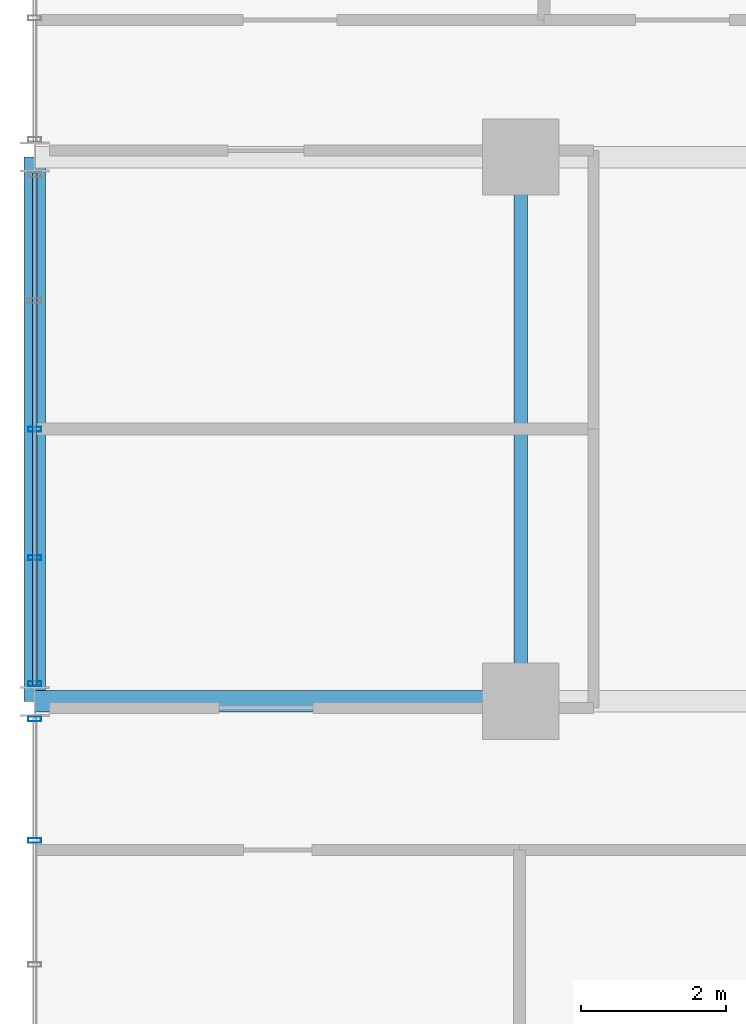
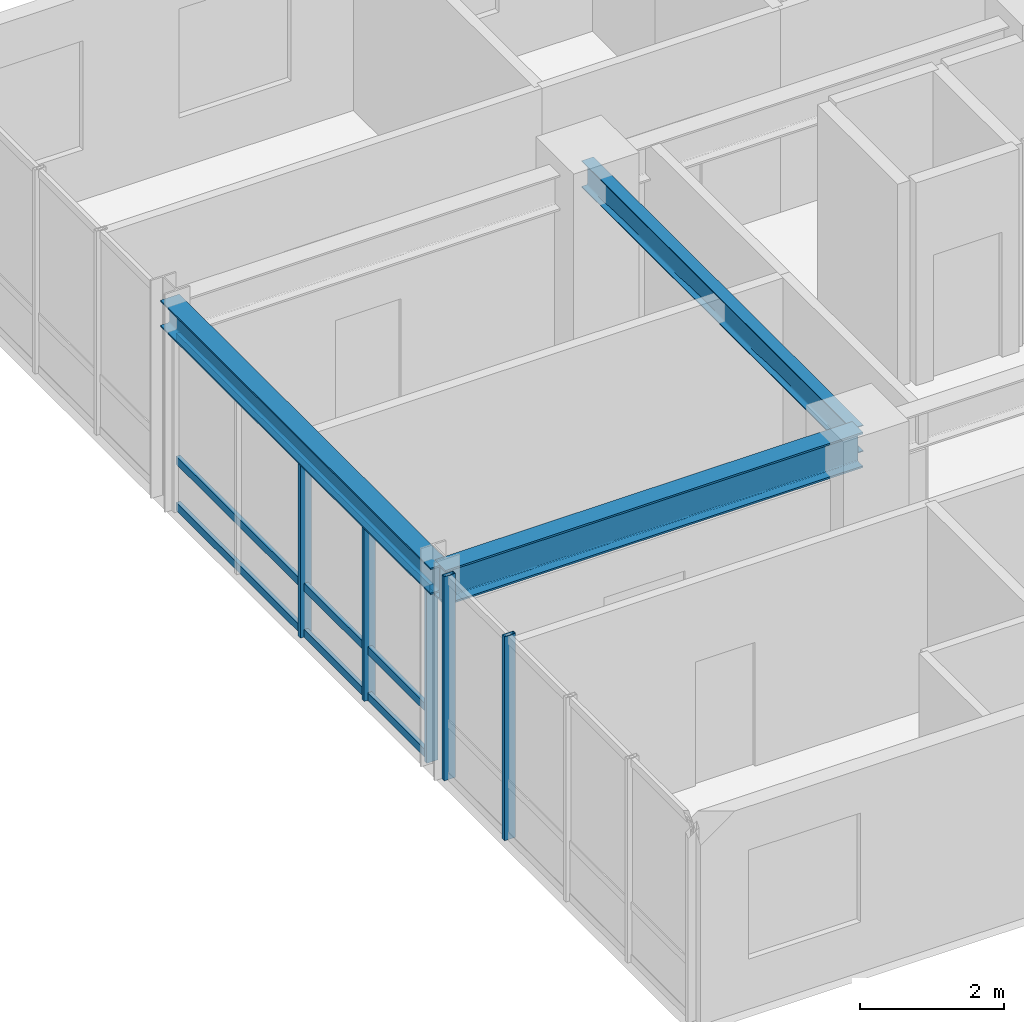
# One storey, part 5 of 19: 8 members, 3 beams, 2 elements without a shape of their own.
"""IFC4 building model written with IfcOpenShell, lengths in metres."""

from ifc_helpers import new_model, si_unit, direction, frame, origin, origin_2d, place, context, subcontext, project, spatial, hollow_rectangle, i_section, extrude, source, transform, mapped, material, layer, layer_set, material_profile, profile_set, type_object, element, aggregate, save


model = new_model("IFC4")

# Units and contexts
model_context = context("Model", 3, precision=1e-05, world=origin(), true_north=direction((0.0, 1.0)))
body_context = subcontext(model_context, "Body", "Model", "MODEL_VIEW")
ifc_project = project(units=[si_unit("LENGTHUNIT", "METRE"), si_unit("AREAUNIT", "SQUARE_METRE"), si_unit("VOLUMEUNIT", "CUBIC_METRE"), si_unit("PLANEANGLEUNIT", "RADIAN"), si_unit("MASSUNIT", "GRAM", prefix="KILO")], contexts=[model_context])

# Site, building, storey
site_placement = place(None, origin())
site = spatial("IfcSite", under=ifc_project, at=site_placement, CompositionType="ELEMENT")
building_placement = place(site_placement, origin())
building = spatial("IfcBuilding", under=site, at=building_placement, Name="Kaliganga Portal Commons", CompositionType="ELEMENT")
storey_placement = place(building_placement, frame((0.0, 0.0, 184.60009765625)))
storey = spatial("IfcBuildingStorey", under=building, at=storey_placement, Name="L47", CompositionType="ELEMENT", Elevation=184.60009765625)

# Beams
ifc_material_1 = material(Name="Structural steel S355J2", Category="steel")
ifc_material_profile_1 = material_profile(ifc_material_1, i_section(OverallWidth=0.300048828125, OverallDepth=0.449951171875, WebThickness=0.013916015625, FlangeThickness=0.02587890625, FilletRadius=0.027099609375, at=origin_2d()), Name="HE 450 B")
ifc_profile_set_1 = profile_set([ifc_material_profile_1], Name="Structural steel S355J2 wide-flange")
beam_type_1 = type_object("IfcBeamType", Name="BM-SPAND-450", PredefinedType="SPANDREL", material=ifc_profile_set_1)
shared_shape_1 = source(origin(), body_context, "Body", "SweptSolid", [
    extrude(i_section(OverallWidth=0.300048828125, OverallDepth=0.449951171875, WebThickness=0.013916015625, FlangeThickness=0.02587890625, FilletRadius=0.027099609375, at=origin_2d()), origin(), (0.0, 0.0, 1.0), 7.5),
])
beam_1_placement = place(storey_placement, frame((0.5, 28.64990234375, 3.23486328125), z_axis=(0.0, 1.0, 0.0), x_axis=(-1.0, 0.0, 0.0)))
element("IfcBeam", 1, at=beam_1_placement, inside=storey, type_object=beam_type_1, Name="BM SP L47 AW", PredefinedType="SPANDREL", context=body_context, shape_type="MappedRepresentation", body=[
    mapped(shared_shape_1, transform((0.0, 0.0, 0.0), x_axis=(1.0, 0.0, 0.0), y_axis=(0.0, 1.0, 0.0), z_axis=(0.0, 0.0, 1.0), scale=1.0)),
])
ifc_material_profile_2 = material_profile(ifc_material_1, i_section(OverallWidth=0.300048828125, OverallDepth=0.60009765625, WebThickness=0.015380859375, FlangeThickness=0.030029296875, FilletRadius=0.027099609375, at=origin_2d()), Name="HE 600 B")
ifc_profile_set_2 = profile_set([ifc_material_profile_2], Name="Structural steel S355J2 wide-flange")
beam_type_2 = type_object("IfcBeamType", Name="BM-GIRD-600", PredefinedType="USERDEFINED", material=ifc_profile_set_2)
shared_shape_2 = source(origin(), body_context, "Body", "SweptSolid", [
    extrude(i_section(OverallWidth=0.300048828125, OverallDepth=0.60009765625, WebThickness=0.015380859375, FlangeThickness=0.030029296875, FilletRadius=0.027099609375, at=origin_2d()), origin(), (0.0, 0.0, 1.0), 6.699951171875),
])
beam_2_placement = place(storey_placement, frame((0.5, 28.64990234375, 3.159912109375), z_axis=(1.0, 0.0, 0.0), x_axis=(0.0, 1.0, 0.0)))
element("IfcBeam", 2, at=beam_2_placement, inside=storey, type_object=beam_type_2, Name="BM G L47 WAH_S 1", ObjectType="GIRDER", PredefinedType="USERDEFINED", context=body_context, shape_type="MappedRepresentation", body=[
    mapped(shared_shape_2, transform((0.0, 0.0, 0.0), x_axis=(1.0, 0.0, 0.0), y_axis=(0.0, 1.0, 0.0), z_axis=(0.0, 0.0, 1.0), scale=1.0)),
])
ifc_material_profile_3 = material_profile(ifc_material_1, i_section(OverallWidth=0.18994140625, OverallDepth=0.449951171875, WebThickness=0.009521484375, FlangeThickness=0.0146484375, FilletRadius=0.02099609375, at=origin_2d()), Name="IPE 450")
ifc_profile_set_3 = profile_set([ifc_material_profile_3], Name="Structural steel S355J2 wide-flange")
beam_type_3 = type_object("IfcBeamType", Name="BM-FLR-450", PredefinedType="BEAM", material=ifc_profile_set_3)
shared_shape_3 = source(origin(), body_context, "Body", "SweptSolid", [
    extrude(i_section(OverallWidth=0.18994140625, OverallDepth=0.449951171875, WebThickness=0.009521484375, FlangeThickness=0.0146484375, FilletRadius=0.02099609375, at=origin_2d()), origin(), (0.0, 0.0, 1.0), 7.5),
])
beam_3_placement = place(storey_placement, frame((7.199951171875, 28.64990234375, 3.23486328125), z_axis=(0.0, 1.0, 0.0), x_axis=(-1.0, 0.0, 0.0)))
element("IfcBeam", 3, at=beam_3_placement, inside=storey, type_object=beam_type_3, Name="BM G L47 AW72", PredefinedType="BEAM", context=body_context, shape_type="MappedRepresentation", body=[
    mapped(shared_shape_3, transform((0.0, 0.0, 0.0), x_axis=(1.0, 0.0, 0.0), y_axis=(0.0, 1.0, 0.0), z_axis=(0.0, 0.0, 1.0), scale=1.0)),
])

# Curtain wall, members
ifc_material_2 = material(Name="Anodized Aluminium and Laminated Low-E Glass", Category="aluminium")
ifc_layer = layer(ifc_material_2, 0.199951171875)
ifc_layer_set = layer_set([ifc_layer], Name="Anodized Aluminium and Laminated Low-E Glass")
curtain_wall_type = type_object("IfcCurtainWallType", Name="CW-SYS-02", PredefinedType="NOTDEFINED", material=ifc_layer_set)
curtain_wall_1_placement = place(storey_placement, origin())
curtain_wall_1 = element("IfcCurtainWall", 4, at=curtain_wall_1_placement, inside=storey, type_object=curtain_wall_type, Name="CW 02 L47 P1E03S3", PredefinedType="NOTDEFINED")
ifc_material_3 = material(Name="Dark Bronze Anodized Aluminium", Category="aluminium")
ifc_material_profile_4 = material_profile(ifc_material_3, hollow_rectangle(XDim=0.06494140625, YDim=0.179931640625, WallThickness=0.00390625, at=origin_2d()), Name="ALU MULL 65x180x4")
ifc_profile_set_4 = profile_set([ifc_material_profile_4], Name="Dark Bronze Anodized Aluminium")
member_type_1 = type_object("IfcMemberType", Name="CW-MUL-180", PredefinedType="MULLION", material=ifc_profile_set_4)
shared_shape_4 = source(origin(), body_context, "Body", "SweptSolid", [
    extrude(hollow_rectangle(XDim=0.06494140625, YDim=0.179931640625, WallThickness=0.00390625, at=origin_2d()), origin(), (0.0, 0.0, 1.0), 3.4599609375),
])
member_1_placement = place(storey_placement, frame((0.5, 28.406982421875, 0.0), z_axis=(0.0, 0.0, 1.0), x_axis=(0.0, -1.0, 0.0)))
member_1 = element("IfcMember", 5, at=member_1_placement, type_object=member_type_1, Name="CW:02:L47:P1E03S3 Mullion 00", PredefinedType="MULLION", context=body_context, shape_type="MappedRepresentation", body=[
    mapped(shared_shape_4, transform((0.0, 0.0, 0.0), x_axis=(1.0, 0.0, 0.0), y_axis=(0.0, 1.0, 0.0), z_axis=(0.0, 0.0, 1.0), scale=1.0)),
])
member_2_placement = place(storey_placement, frame((0.5, 26.7314453125, 0.0), z_axis=(0.0, 0.0, 1.0), x_axis=(0.0, -1.0, 0.0)))
member_2 = element("IfcMember", 6, at=member_2_placement, type_object=member_type_1, Name="CW:02:L47:P1E03S3 Mullion 01", PredefinedType="MULLION", context=body_context, shape_type="MappedRepresentation", body=[
    mapped(shared_shape_4, transform((0.0, 0.0, 0.0), x_axis=(1.0, 0.0, 0.0), y_axis=(0.0, 1.0, 0.0), z_axis=(0.0, 0.0, 1.0), scale=1.0)),
])
aggregate(curtain_wall_1, [member_1, member_2])

curtain_wall_2_placement = place(storey_placement, origin())
curtain_wall_2 = element("IfcCurtainWall", 7, at=curtain_wall_2_placement, inside=storey, type_object=curtain_wall_type, Name="CW 02 L47 P1E03S2", PredefinedType="NOTDEFINED")
shared_shape_5 = source(origin(), body_context, "Body", "SweptSolid", [
    extrude(hollow_rectangle(XDim=0.06494140625, YDim=0.179931640625, WallThickness=0.00390625, at=origin_2d()), origin(), (0.0, 0.0, 1.0), 3.010009765625),
])
member_3_placement = place(storey_placement, frame((0.5, 32.39990234375, 0.0), z_axis=(0.0, 0.0, 1.0), x_axis=(0.0, -1.0, 0.0)))
member_3 = element("IfcMember", 8, at=member_3_placement, type_object=member_type_1, Name="CW:02:L47:P1E03S2 Mullion 02", PredefinedType="MULLION", context=body_context, shape_type="MappedRepresentation", body=[
    mapped(shared_shape_5, transform((0.0, 0.0, 0.0), x_axis=(1.0, 0.0, 0.0), y_axis=(0.0, 1.0, 0.0), z_axis=(0.0, 0.0, 1.0), scale=1.0)),
])
member_4_placement = place(storey_placement, frame((0.5, 30.62890625, 0.0), z_axis=(0.0, 0.0, 1.0), x_axis=(0.0, -1.0, 0.0)))
member_4 = element("IfcMember", 9, at=member_4_placement, type_object=member_type_1, Name="CW:02:L47:P1E03S2 Mullion 03", PredefinedType="MULLION", context=body_context, shape_type="MappedRepresentation", body=[
    mapped(shared_shape_5, transform((0.0, 0.0, 0.0), x_axis=(1.0, 0.0, 0.0), y_axis=(0.0, 1.0, 0.0), z_axis=(0.0, 0.0, 1.0), scale=1.0)),
])
member_5_placement = place(storey_placement, frame((0.5, 28.89306640625, 0.0), z_axis=(0.0, 0.0, 1.0), x_axis=(0.0, -1.0, 0.0)))
member_5 = element("IfcMember", 10, at=member_5_placement, type_object=member_type_1, Name="CW:02:L47:P1E03S2 Mullion 04", PredefinedType="MULLION", context=body_context, shape_type="MappedRepresentation", body=[
    mapped(shared_shape_5, transform((0.0, 0.0, 0.0), x_axis=(1.0, 0.0, 0.0), y_axis=(0.0, 1.0, 0.0), z_axis=(0.0, 0.0, 1.0), scale=1.0)),
])
ifc_material_profile_5 = material_profile(ifc_material_3, hollow_rectangle(XDim=0.06494140625, YDim=0.135009765625, WallThickness=0.00341796875, at=origin_2d()), Name="ALU TRAN 65x135x3.5")
ifc_profile_set_5 = profile_set([ifc_material_profile_5], Name="Dark Bronze Anodized Aluminium")
member_type_2 = type_object("IfcMemberType", Name="CW-TRN-135", PredefinedType="USERDEFINED", material=ifc_profile_set_5)
shared_shape_6 = source(origin(), body_context, "Body", "SweptSolid", [
    extrude(hollow_rectangle(XDim=0.06494140625, YDim=0.135009765625, WallThickness=0.00341796875, at=origin_2d()), origin(), (0.0, 0.0, 1.0), 7.044189453125),
])
member_6_placement = place(storey_placement, frame((0.5, 35.922119140625, 0.059814453125), z_axis=(0.0, -1.0, 0.0), x_axis=(1.0, 0.0, 0.0)))
member_6 = element("IfcMember", 11, at=member_6_placement, type_object=member_type_2, Name="CW:02:L47:P1E03S2 Transom 1", ObjectType="TRANSOM", PredefinedType="USERDEFINED", context=body_context, shape_type="MappedRepresentation", body=[
    mapped(shared_shape_6, transform((0.0, 0.0, 0.0), x_axis=(1.0, 0.0, 0.0), y_axis=(0.0, 1.0, 0.0), z_axis=(0.0, 0.0, 1.0), scale=1.0)),
])
member_7_placement = place(storey_placement, frame((0.5, 35.922119140625, 0.8427734375), z_axis=(0.0, -1.0, 0.0), x_axis=(1.0, 0.0, 0.0)))
member_7 = element("IfcMember", 12, at=member_7_placement, type_object=member_type_2, Name="CW:02:L47:P1E03S2 Transom 2", ObjectType="TRANSOM", PredefinedType="USERDEFINED", context=body_context, shape_type="MappedRepresentation", body=[
    mapped(shared_shape_6, transform((0.0, 0.0, 0.0), x_axis=(1.0, 0.0, 0.0), y_axis=(0.0, 1.0, 0.0), z_axis=(0.0, 0.0, 1.0), scale=1.0)),
])
member_8_placement = place(storey_placement, frame((0.5, 35.922119140625, 2.929931640625), z_axis=(0.0, -1.0, 0.0), x_axis=(1.0, 0.0, 0.0)))
member_8 = element("IfcMember", 13, at=member_8_placement, type_object=member_type_2, Name="CW:02:L47:P1E03S2 Transom 3", ObjectType="TRANSOM", PredefinedType="USERDEFINED", context=body_context, shape_type="MappedRepresentation", body=[
    mapped(shared_shape_6, transform((0.0, 0.0, 0.0), x_axis=(1.0, 0.0, 0.0), y_axis=(0.0, 1.0, 0.0), z_axis=(0.0, 0.0, 1.0), scale=1.0)),
])
aggregate(curtain_wall_2, [member_3, member_4, member_5, member_6, member_7, member_8])

save(model, "model.ifc")
